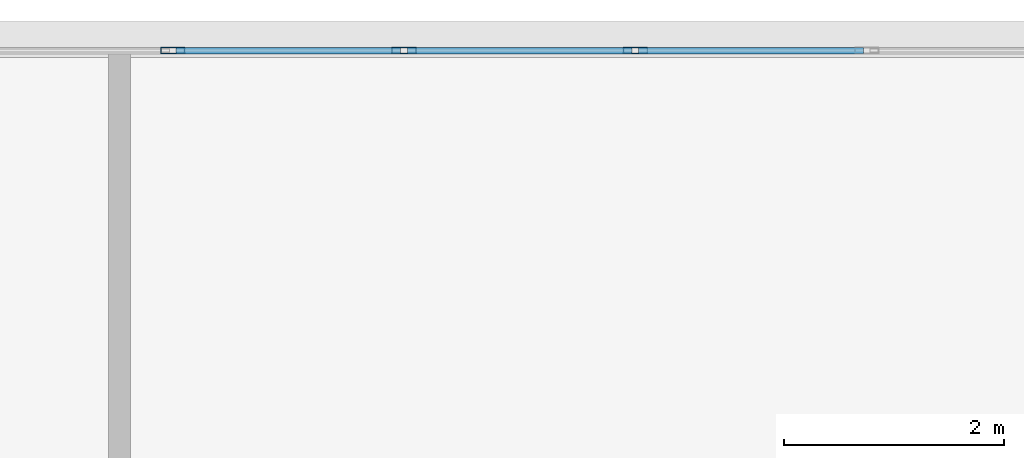
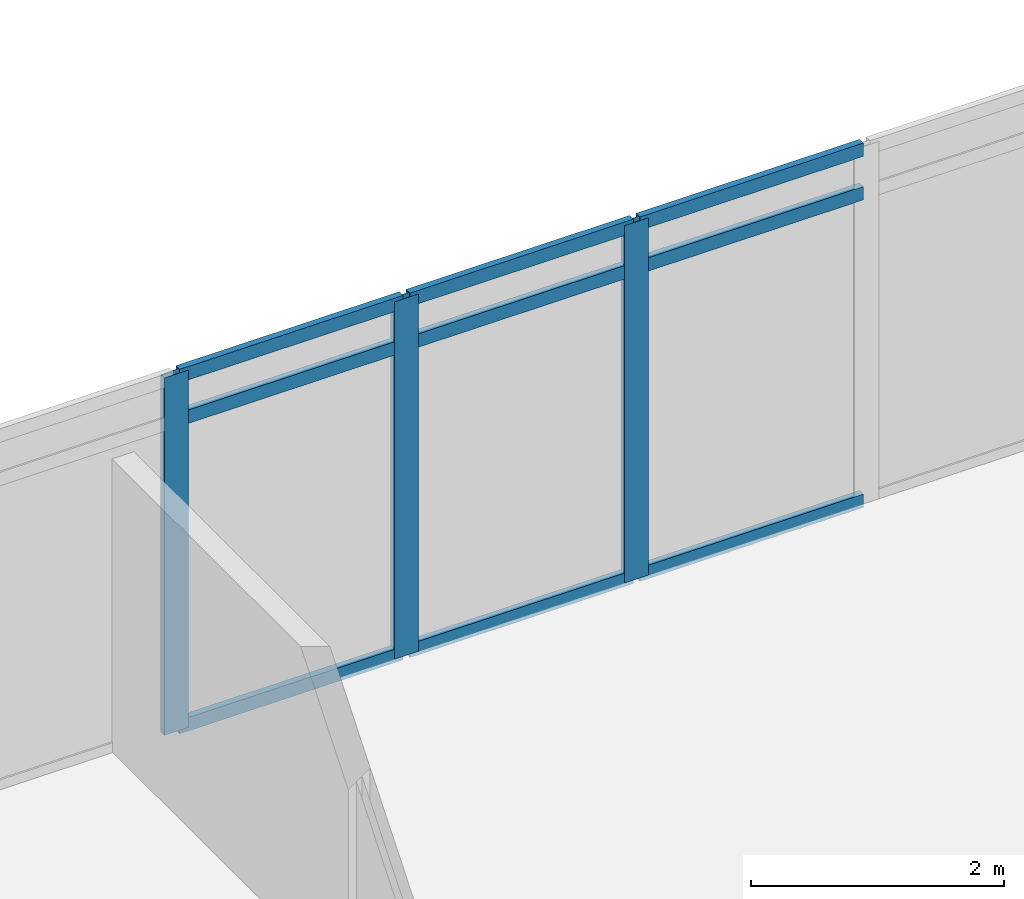
# One storey, part 16 of 35: 12 members, 1 element without a shape of its own.
"""IFC4 building model written with IfcOpenShell, lengths in metres."""

from ifc_helpers import new_model, si_unit, direction, frame, origin, origin_2d, place, context, subcontext, project, spatial, hollow_rectangle, extrude, material, material_profile, profile_set, type_object, element, aggregate, save


model = new_model("IFC4")

# Units and contexts
model_context = context("Model", 3, precision=1e-05, world=origin(), true_north=direction((0.0, 1.0)))
body_context = subcontext(model_context, "Body", "Model", "MODEL_VIEW")
ifc_project = project(units=[si_unit("LENGTHUNIT", "METRE"), si_unit("AREAUNIT", "SQUARE_METRE"), si_unit("VOLUMEUNIT", "CUBIC_METRE"), si_unit("PLANEANGLEUNIT", "RADIAN"), si_unit("MASSUNIT", "GRAM", prefix="KILO")], contexts=[model_context])

# Site, building, storey
site_placement = place(None, origin())
site = spatial("IfcSite", under=ifc_project, at=site_placement, CompositionType="ELEMENT")
building_placement = place(site_placement, origin())
building = spatial("IfcBuilding", under=site, at=building_placement, Name="Ostrander Bayou Hotel Tower", CompositionType="ELEMENT")
storey_placement = place(building_placement, frame((0.0, 0.0, 69.25)))
storey = spatial("IfcBuildingStorey", under=building, at=storey_placement, Name="L17", CompositionType="ELEMENT", Elevation=69.25)

# Curtain wall, members
ifc_material_1 = material(Name="Aluminium and clear glass", Category="aluminium")
curtain_wall_type = type_object("IfcCurtainWallType", Name="CW-BAR glazed wall", PredefinedType="NOTDEFINED", material=ifc_material_1)
curtain_wall_placement = place(storey_placement, origin())
curtain_wall = element("IfcCurtainWall", 1, at=curtain_wall_placement, inside=storey, type_object=curtain_wall_type, Name="CW-BAR L17:SB1N:T", PredefinedType="NOTDEFINED")
ifc_material_2 = material(Name="Aluminium", Category="aluminium")
ifc_material_profile_1 = material_profile(ifc_material_2, hollow_rectangle(XDim=0.06005859375, YDim=0.219970703125, WallThickness=0.00390625, at=origin_2d()))
ifc_profile_set_1 = profile_set([ifc_material_profile_1], Name="Aluminium")
member_type_1 = type_object("IfcMemberType", Name="CW-BR mullion 60 x 220 mm", PredefinedType="MULLION", material=ifc_profile_set_1)
member_1_placement = place(storey_placement, frame((-6.30517578125, 30.88623046875, 0.0), z_axis=(0.0, 0.0, 1.0), x_axis=(0.0, 1.0, 0.0)))
member_1 = element("IfcMember", 2, at=member_1_placement, type_object=member_type_1, Name="CW-BAR mullion 5", PredefinedType="MULLION", context=body_context, shape_type="SweptSolid", body=[
    extrude(hollow_rectangle(XDim=0.06005859375, YDim=0.219970703125, WallThickness=0.00390625, at=origin_2d()), origin(), (0.0, 0.0, 1.0), 3.449951171875),
])
member_2_placement = place(storey_placement, frame((-4.203369140625, 30.88623046875, 0.0), z_axis=(0.0, 0.0, 1.0), x_axis=(0.0, 1.0, 0.0)))
member_2 = element("IfcMember", 3, at=member_2_placement, type_object=member_type_1, Name="CW-BAR mullion 6", PredefinedType="MULLION", context=body_context, shape_type="SweptSolid", body=[
    extrude(hollow_rectangle(XDim=0.06005859375, YDim=0.219970703125, WallThickness=0.00390625, at=origin_2d()), origin(), (0.0, 0.0, 1.0), 3.449951171875),
])
member_3_placement = place(storey_placement, frame((-2.101806640625, 30.88623046875, 0.0), z_axis=(0.0, 0.0, 1.0), x_axis=(0.0, 1.0, 0.0)))
member_3 = element("IfcMember", 4, at=member_3_placement, type_object=member_type_1, Name="CW-BAR mullion 7", PredefinedType="MULLION", context=body_context, shape_type="SweptSolid", body=[
    extrude(hollow_rectangle(XDim=0.06005859375, YDim=0.219970703125, WallThickness=0.00390625, at=origin_2d()), origin(), (0.0, 0.0, 1.0), 3.449951171875),
])
ifc_material_3 = material(Name="Aluminium", Category="aluminium")
ifc_material_profile_2 = material_profile(ifc_material_3, hollow_rectangle(XDim=0.06005859375, YDim=0.1298828125, WallThickness=0.00390625, at=origin_2d()))
ifc_profile_set_2 = profile_set([ifc_material_profile_2], Name="Aluminium")
member_type_2 = type_object("IfcMemberType", Name="CW-BR transom 60 x 130 mm", PredefinedType="USERDEFINED", material=ifc_profile_set_2)
member_4_placement = place(storey_placement, frame((-6.275146484375, 30.88623046875, 0.030029296875), z_axis=(1.0, 0.0, 0.0), x_axis=(0.0, 1.0, 0.0)))
member_4 = element("IfcMember", 5, at=member_4_placement, type_object=member_type_2, Name="CW-BAR transom 5.1", ObjectType="TRANSOM", PredefinedType="USERDEFINED", context=body_context, shape_type="SweptSolid", body=[
    extrude(hollow_rectangle(XDim=0.06005859375, YDim=0.1298828125, WallThickness=0.00390625, at=origin_2d()), origin(), (0.0, 0.0, 1.0), 2.041748046875),
])
member_5_placement = place(storey_placement, frame((-6.275146484375, 30.88623046875, 3.0), z_axis=(1.0, 0.0, 0.0), x_axis=(0.0, 1.0, 0.0)))
member_5 = element("IfcMember", 6, at=member_5_placement, type_object=member_type_2, Name="CW-BAR transom 5.2", ObjectType="TRANSOM", PredefinedType="USERDEFINED", context=body_context, shape_type="SweptSolid", body=[
    extrude(hollow_rectangle(XDim=0.06005859375, YDim=0.1298828125, WallThickness=0.00390625, at=origin_2d()), origin(), (0.0, 0.0, 1.0), 2.041748046875),
])
member_6_placement = place(storey_placement, frame((-6.275146484375, 30.88623046875, 3.419921875), z_axis=(1.0, 0.0, 0.0), x_axis=(0.0, 1.0, 0.0)))
member_6 = element("IfcMember", 7, at=member_6_placement, type_object=member_type_2, Name="CW-BAR transom 5.3", ObjectType="TRANSOM", PredefinedType="USERDEFINED", context=body_context, shape_type="SweptSolid", body=[
    extrude(hollow_rectangle(XDim=0.06005859375, YDim=0.1298828125, WallThickness=0.00390625, at=origin_2d()), origin(), (0.0, 0.0, 1.0), 2.041748046875),
])
member_7_placement = place(storey_placement, frame((-4.173583984375, 30.88623046875, 0.030029296875), z_axis=(1.0, 0.0, 0.0), x_axis=(0.0, 1.0, 0.0)))
member_7 = element("IfcMember", 8, at=member_7_placement, type_object=member_type_2, Name="CW-BAR transom 6.1", ObjectType="TRANSOM", PredefinedType="USERDEFINED", context=body_context, shape_type="SweptSolid", body=[
    extrude(hollow_rectangle(XDim=0.06005859375, YDim=0.1298828125, WallThickness=0.00390625, at=origin_2d()), origin(), (0.0, 0.0, 1.0), 2.041748046875),
])
member_8_placement = place(storey_placement, frame((-4.173583984375, 30.88623046875, 3.0), z_axis=(1.0, 0.0, 0.0), x_axis=(0.0, 1.0, 0.0)))
member_8 = element("IfcMember", 9, at=member_8_placement, type_object=member_type_2, Name="CW-BAR transom 6.2", ObjectType="TRANSOM", PredefinedType="USERDEFINED", context=body_context, shape_type="SweptSolid", body=[
    extrude(hollow_rectangle(XDim=0.06005859375, YDim=0.1298828125, WallThickness=0.00390625, at=origin_2d()), origin(), (0.0, 0.0, 1.0), 2.041748046875),
])
member_9_placement = place(storey_placement, frame((-4.173583984375, 30.88623046875, 3.419921875), z_axis=(1.0, 0.0, 0.0), x_axis=(0.0, 1.0, 0.0)))
member_9 = element("IfcMember", 10, at=member_9_placement, type_object=member_type_2, Name="CW-BAR transom 6.3", ObjectType="TRANSOM", PredefinedType="USERDEFINED", context=body_context, shape_type="SweptSolid", body=[
    extrude(hollow_rectangle(XDim=0.06005859375, YDim=0.1298828125, WallThickness=0.00390625, at=origin_2d()), origin(), (0.0, 0.0, 1.0), 2.041748046875),
])
member_10_placement = place(storey_placement, frame((-2.07177734375, 30.88623046875, 0.030029296875), z_axis=(1.0, 0.0, 0.0), x_axis=(0.0, 1.0, 0.0)))
member_10 = element("IfcMember", 11, at=member_10_placement, type_object=member_type_2, Name="CW-BAR transom 7.1", ObjectType="TRANSOM", PredefinedType="USERDEFINED", context=body_context, shape_type="SweptSolid", body=[
    extrude(hollow_rectangle(XDim=0.06005859375, YDim=0.1298828125, WallThickness=0.00390625, at=origin_2d()), origin(), (0.0, 0.0, 1.0), 2.041748046875),
])
member_11_placement = place(storey_placement, frame((-2.07177734375, 30.88623046875, 3.0), z_axis=(1.0, 0.0, 0.0), x_axis=(0.0, 1.0, 0.0)))
member_11 = element("IfcMember", 12, at=member_11_placement, type_object=member_type_2, Name="CW-BAR transom 7.2", ObjectType="TRANSOM", PredefinedType="USERDEFINED", context=body_context, shape_type="SweptSolid", body=[
    extrude(hollow_rectangle(XDim=0.06005859375, YDim=0.1298828125, WallThickness=0.00390625, at=origin_2d()), origin(), (0.0, 0.0, 1.0), 2.041748046875),
])
member_12_placement = place(storey_placement, frame((-2.07177734375, 30.88623046875, 3.419921875), z_axis=(1.0, 0.0, 0.0), x_axis=(0.0, 1.0, 0.0)))
member_12 = element("IfcMember", 13, at=member_12_placement, type_object=member_type_2, Name="CW-BAR transom 7.3", ObjectType="TRANSOM", PredefinedType="USERDEFINED", context=body_context, shape_type="SweptSolid", body=[
    extrude(hollow_rectangle(XDim=0.06005859375, YDim=0.1298828125, WallThickness=0.00390625, at=origin_2d()), origin(), (0.0, 0.0, 1.0), 2.041748046875),
])
aggregate(curtain_wall, [member_1, member_2, member_3, member_4, member_5, member_6, member_7, member_8, member_9, member_10, member_11, member_12])

save(model, "model.ifc")
